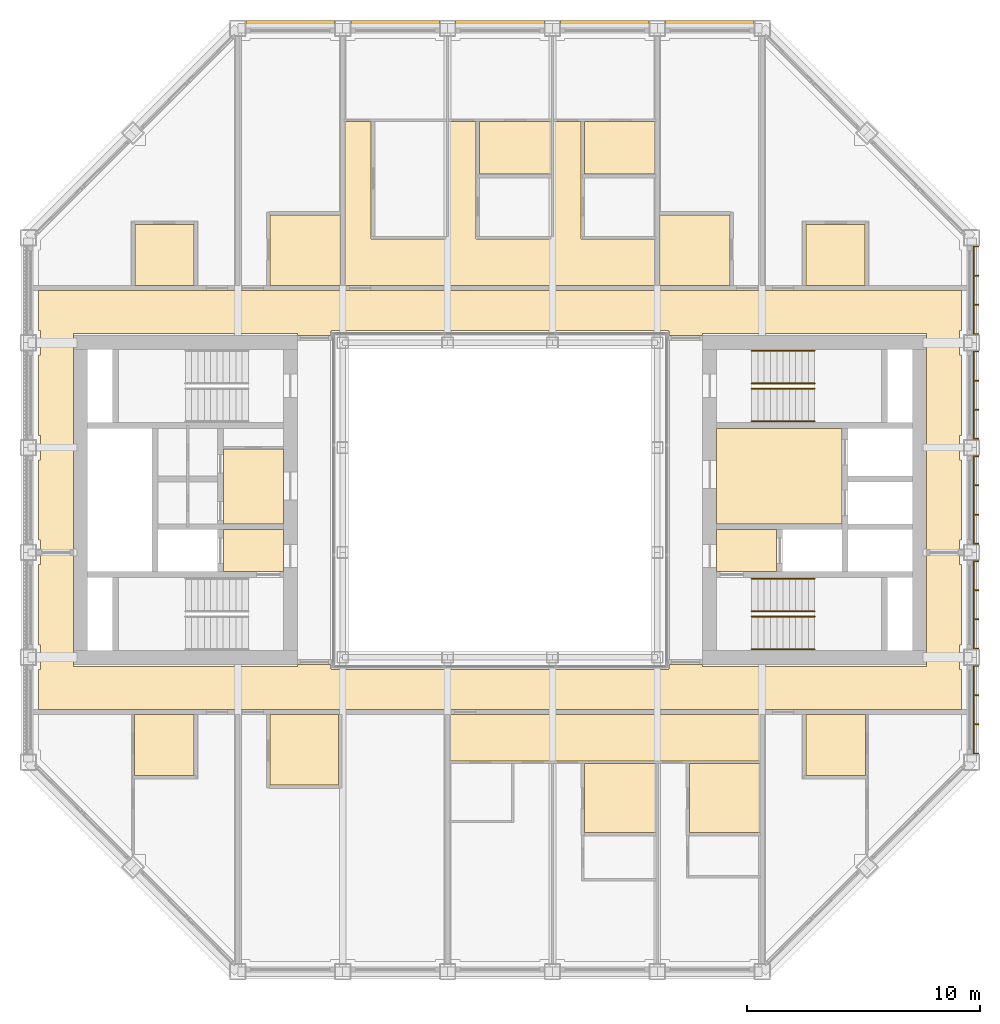
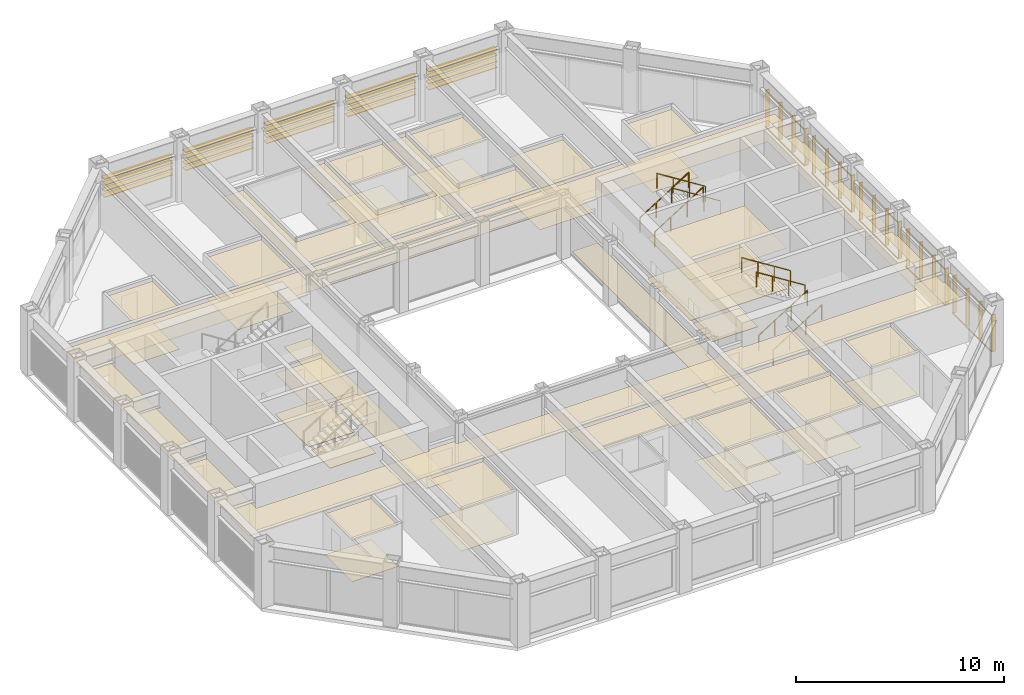
# One storey, part 17 of 17: 8 railings, 4 coverings, 2 shading devices.
"""IFC4 building model written with IfcOpenShell, lengths in metres."""

from ifc_helpers import new_model, si_unit, direction, frame, origin, origin_2d, place, context, subcontext, project, spatial, line, indexed_curve, rectangle, circle, outline, extrude, material, layer, layer_set, type_object, element, save


model = new_model("IFC4")

# Units and contexts
model_context = context("Model", 3, precision=1e-05, world=origin(), true_north=direction((0.0, 1.0)))
body_context = subcontext(model_context, "Body", "Model", "MODEL_VIEW")
ifc_project = project(units=[si_unit("LENGTHUNIT", "METRE"), si_unit("AREAUNIT", "SQUARE_METRE"), si_unit("VOLUMEUNIT", "CUBIC_METRE"), si_unit("PLANEANGLEUNIT", "RADIAN"), si_unit("MASSUNIT", "GRAM", prefix="KILO")], contexts=[model_context])

# Site, building, storey
site_placement = place(None, origin())
site = spatial("IfcSite", under=ifc_project, at=site_placement, CompositionType="ELEMENT")
building_placement = place(site_placement, origin())
building = spatial("IfcBuilding", under=site, at=building_placement, Name="Msasa Ring Tower", CompositionType="ELEMENT")
storey_placement = place(building_placement, frame((0.0, 0.0, 238.300048828125)))
storey = spatial("IfcBuildingStorey", under=building, at=storey_placement, Name="L62", CompositionType="ELEMENT", Elevation=238.300048828125)

# Shading device
ifc_material_1 = material(Name="Extruded terracotta on aluminium carriers", Category="masonry")
shading_device_type_1 = type_object("IfcShadingDeviceType", Name="BS2 TERRACOTTA FIN SCREEN 40x200 AT 1350", PredefinedType="USERDEFINED", material=ifc_material_1)
shading_device_1_placement = place(storey_placement, origin())
element("IfcShadingDevice", 1, at=shading_device_1_placement, inside=storey, type_object=shading_device_type_1, Name="Terracotta fin screen E L62", ObjectType="BAGUETTE", PredefinedType="USERDEFINED", context=body_context, shape_type="SweptSolid", body=[
    extrude(rectangle(XDim=0.06005859375, YDim=0.0400390625, at=origin_2d()), frame((20.330078125, -10.89990234375, 0.329833984375), z_axis=(0.0, 1.0, 0.0), x_axis=(0.0, 0.0, 1.0)), (0.0, 0.0, 1.0), 3.800048828125),
    extrude(rectangle(XDim=0.06005859375, YDim=0.0400390625, at=origin_2d()), frame((20.330078125, -10.89990234375, 2.448974609375), z_axis=(0.0, 1.0, 0.0), x_axis=(0.0, 0.0, 1.0)), (0.0, 0.0, 1.0), 3.800048828125),
    extrude(rectangle(XDim=0.0400390625, YDim=0.199951171875, at=origin_2d()), frame((20.445068359375, -10.8798828125, 0.300048828125), z_axis=(0.0, 0.0, 1.0), x_axis=(0.0, 1.0, 0.0)), (0.0, 0.0, 1.0), 2.178955078125),
    extrude(rectangle(XDim=0.0400390625, YDim=0.199951171875, at=origin_2d()), frame((20.445068359375, -9.626708984375, 0.300048828125), z_axis=(0.0, 0.0, 1.0), x_axis=(0.0, 1.0, 0.0)), (0.0, 0.0, 1.0), 2.178955078125),
    extrude(rectangle(XDim=0.0400390625, YDim=0.199951171875, at=origin_2d()), frame((20.445068359375, -8.373291015625, 0.300048828125), z_axis=(0.0, 0.0, 1.0), x_axis=(0.0, 1.0, 0.0)), (0.0, 0.0, 1.0), 2.178955078125),
    extrude(rectangle(XDim=0.0400390625, YDim=0.199951171875, at=origin_2d()), frame((20.445068359375, -7.1201171875, 0.300048828125), z_axis=(0.0, 0.0, 1.0), x_axis=(0.0, 1.0, 0.0)), (0.0, 0.0, 1.0), 2.178955078125),
    extrude(rectangle(XDim=0.06005859375, YDim=0.0400390625, at=origin_2d()), frame((20.330078125, -6.39990234375, 0.329833984375), z_axis=(0.0, 1.0, 0.0), x_axis=(0.0, 0.0, 1.0)), (0.0, 0.0, 1.0), 3.800048828125),
    extrude(rectangle(XDim=0.06005859375, YDim=0.0400390625, at=origin_2d()), frame((20.330078125, -6.39990234375, 2.448974609375), z_axis=(0.0, 1.0, 0.0), x_axis=(0.0, 0.0, 1.0)), (0.0, 0.0, 1.0), 3.800048828125),
    extrude(rectangle(XDim=0.0400390625, YDim=0.199951171875, at=origin_2d()), frame((20.445068359375, -6.3798828125, 0.300048828125), z_axis=(0.0, 0.0, 1.0), x_axis=(0.0, 1.0, 0.0)), (0.0, 0.0, 1.0), 2.178955078125),
    extrude(rectangle(XDim=0.0400390625, YDim=0.199951171875, at=origin_2d()), frame((20.445068359375, -5.126708984375, 0.300048828125), z_axis=(0.0, 0.0, 1.0), x_axis=(0.0, 1.0, 0.0)), (0.0, 0.0, 1.0), 2.178955078125),
    extrude(rectangle(XDim=0.0400390625, YDim=0.199951171875, at=origin_2d()), frame((20.445068359375, -3.873291015625, 0.300048828125), z_axis=(0.0, 0.0, 1.0), x_axis=(0.0, 1.0, 0.0)), (0.0, 0.0, 1.0), 2.178955078125),
    extrude(rectangle(XDim=0.0400390625, YDim=0.199951171875, at=origin_2d()), frame((20.445068359375, -2.6201171875, 0.300048828125), z_axis=(0.0, 0.0, 1.0), x_axis=(0.0, 1.0, 0.0)), (0.0, 0.0, 1.0), 2.178955078125),
    extrude(rectangle(XDim=0.06005859375, YDim=0.0400390625, at=origin_2d()), frame((20.330078125, -1.89990234375, 0.329833984375), z_axis=(0.0, 1.0, 0.0), x_axis=(0.0, 0.0, 1.0)), (0.0, 0.0, 1.0), 3.800048828125),
    extrude(rectangle(XDim=0.06005859375, YDim=0.0400390625, at=origin_2d()), frame((20.330078125, -1.89990234375, 2.448974609375), z_axis=(0.0, 1.0, 0.0), x_axis=(0.0, 0.0, 1.0)), (0.0, 0.0, 1.0), 3.800048828125),
    extrude(rectangle(XDim=0.0400390625, YDim=0.199951171875, at=origin_2d()), frame((20.445068359375, -1.8798828125, 0.300048828125), z_axis=(0.0, 0.0, 1.0), x_axis=(0.0, 1.0, 0.0)), (0.0, 0.0, 1.0), 2.178955078125),
    extrude(rectangle(XDim=0.0400390625, YDim=0.199951171875, at=origin_2d()), frame((20.445068359375, -0.626708984375, 0.300048828125), z_axis=(0.0, 0.0, 1.0), x_axis=(0.0, 1.0, 0.0)), (0.0, 0.0, 1.0), 2.178955078125),
    extrude(rectangle(XDim=0.0400390625, YDim=0.199951171875, at=origin_2d()), frame((20.445068359375, 0.626708984375, 0.300048828125), z_axis=(0.0, 0.0, 1.0), x_axis=(0.0, 1.0, 0.0)), (0.0, 0.0, 1.0), 2.178955078125),
    extrude(rectangle(XDim=0.0400390625, YDim=0.199951171875, at=origin_2d()), frame((20.445068359375, 1.8798828125, 0.300048828125), z_axis=(0.0, 0.0, 1.0), x_axis=(0.0, 1.0, 0.0)), (0.0, 0.0, 1.0), 2.178955078125),
    extrude(rectangle(XDim=0.06005859375, YDim=0.0400390625, at=origin_2d()), frame((20.330078125, 2.60009765625, 0.329833984375), z_axis=(0.0, 1.0, 0.0), x_axis=(0.0, 0.0, 1.0)), (0.0, 0.0, 1.0), 3.800048828125),
    extrude(rectangle(XDim=0.06005859375, YDim=0.0400390625, at=origin_2d()), frame((20.330078125, 2.60009765625, 2.448974609375), z_axis=(0.0, 1.0, 0.0), x_axis=(0.0, 0.0, 1.0)), (0.0, 0.0, 1.0), 3.800048828125),
    extrude(rectangle(XDim=0.0400390625, YDim=0.199951171875, at=origin_2d()), frame((20.445068359375, 2.6201171875, 0.300048828125), z_axis=(0.0, 0.0, 1.0), x_axis=(0.0, 1.0, 0.0)), (0.0, 0.0, 1.0), 2.178955078125),
    extrude(rectangle(XDim=0.0400390625, YDim=0.199951171875, at=origin_2d()), frame((20.445068359375, 3.873291015625, 0.300048828125), z_axis=(0.0, 0.0, 1.0), x_axis=(0.0, 1.0, 0.0)), (0.0, 0.0, 1.0), 2.178955078125),
    extrude(rectangle(XDim=0.0400390625, YDim=0.199951171875, at=origin_2d()), frame((20.445068359375, 5.126708984375, 0.300048828125), z_axis=(0.0, 0.0, 1.0), x_axis=(0.0, 1.0, 0.0)), (0.0, 0.0, 1.0), 2.178955078125),
    extrude(rectangle(XDim=0.0400390625, YDim=0.199951171875, at=origin_2d()), frame((20.445068359375, 6.3798828125, 0.300048828125), z_axis=(0.0, 0.0, 1.0), x_axis=(0.0, 1.0, 0.0)), (0.0, 0.0, 1.0), 2.178955078125),
    extrude(rectangle(XDim=0.06005859375, YDim=0.0400390625, at=origin_2d()), frame((20.330078125, 7.10009765625, 0.329833984375), z_axis=(0.0, 1.0, 0.0), x_axis=(0.0, 0.0, 1.0)), (0.0, 0.0, 1.0), 3.800048828125),
    extrude(rectangle(XDim=0.06005859375, YDim=0.0400390625, at=origin_2d()), frame((20.330078125, 7.10009765625, 2.448974609375), z_axis=(0.0, 1.0, 0.0), x_axis=(0.0, 0.0, 1.0)), (0.0, 0.0, 1.0), 3.800048828125),
    extrude(rectangle(XDim=0.0400390625, YDim=0.199951171875, at=origin_2d()), frame((20.445068359375, 7.1201171875, 0.300048828125), z_axis=(0.0, 0.0, 1.0), x_axis=(0.0, 1.0, 0.0)), (0.0, 0.0, 1.0), 2.178955078125),
    extrude(rectangle(XDim=0.0400390625, YDim=0.199951171875, at=origin_2d()), frame((20.445068359375, 8.373291015625, 0.300048828125), z_axis=(0.0, 0.0, 1.0), x_axis=(0.0, 1.0, 0.0)), (0.0, 0.0, 1.0), 2.178955078125),
    extrude(rectangle(XDim=0.0400390625, YDim=0.199951171875, at=origin_2d()), frame((20.445068359375, 9.626708984375, 0.300048828125), z_axis=(0.0, 0.0, 1.0), x_axis=(0.0, 1.0, 0.0)), (0.0, 0.0, 1.0), 2.178955078125),
    extrude(rectangle(XDim=0.0400390625, YDim=0.199951171875, at=origin_2d()), frame((20.445068359375, 10.8798828125, 0.300048828125), z_axis=(0.0, 0.0, 1.0), x_axis=(0.0, 1.0, 0.0)), (0.0, 0.0, 1.0), 2.178955078125),
])

# Coverings
ifc_material_2 = material(Name="Gypsum plasterboard on a steel suspension grid", Category="steel")
ifc_layer_1 = layer(ifc_material_2, 0.014892578125)
ifc_layer_set_1 = layer_set([ifc_layer_1], Name="C1 SUSPENDED PLASTERBOARD CEILING 15")
covering_type_1 = type_object("IfcCoveringType", Name="C1 SUSPENDED PLASTERBOARD CEILING 15", PredefinedType="CEILING", material=ifc_layer_set_1)
covering_1_placement = place(storey_placement, frame((0.0, 0.0, 2.39990234375)))
element("IfcCovering", 2, at=covering_1_placement, inside=storey, type_object=covering_type_1, Name="Suspended Plasterboard Ceiling 15 circulation L62", PredefinedType="CEILING", context=body_context, shape_type="SweptSolid", body=[
    extrude(outline(indexed_curve([(8.699462890625, -7.150390625), (18.300537109375, -7.150390625), (18.300537109375, -2.3505859375), (19.724609375, -2.3505859375), (19.724609375, -2.775390625), (19.799560546875, -2.775390625), (19.799560546875, -6.224609375), (19.724609375, -6.224609375), (19.724609375, -7.275390625), (19.799560546875, -7.275390625), (19.799560546875, -8.99951171875), (-19.799560546875, -8.99951171875), (-19.799560546875, -7.275390625), (-19.724609375, -7.275390625), (-19.724609375, -6.224609375), (-19.799560546875, -6.224609375), (-19.799560546875, -2.775390625), (-19.724609375, -2.775390625), (-19.724609375, -2.3505859375), (-18.300537109375, -2.3505859375), (-18.300537109375, -7.150390625), (-8.699462890625, -7.150390625), (-8.699462890625, -7.050537109375), (-7.280029296875, -7.050537109375), (-7.280517578125, -7.23046875), (-7.22998046875, -7.23046875), (-7.22998046875, -7.280029296875), (7.22998046875, -7.280029296875), (7.22998046875, -7.23046875), (7.280517578125, -7.23046875), (7.280029296875, -7.050537109375), (8.699462890625, -7.050537109375)], segments=[line(1, 2, 3, 4, 5, 6, 7, 8, 9, 10, 11, 12, 13, 14, 15, 16, 17, 18, 19, 20, 21, 22, 23, 24, 25, 26, 27, 28, 29, 30, 31, 32, 1)], self_intersect=False)), origin(), (0.0, 0.0, 1.0), 0.01513671875),
    extrude(outline(indexed_curve([(19.799560546875, 7.275390625), (19.724609375, 7.275390625), (19.724609375, 6.224609375), (19.799560546875, 6.224609375), (19.799560546875, 2.775390625), (19.724609375, 2.775390625), (19.724609375, 1.724609375), (19.799560546875, 1.724609375), (19.799560546875, -1.724609375), (19.724609375, -1.724609375), (19.724609375, -2.1494140625), (18.300537109375, -2.1494140625), (18.300537109375, 7.150390625), (8.699462890625, 7.150390625), (8.699462890625, 7.050537109375), (7.280029296875, 7.050537109375), (7.280517578125, 7.23046875), (7.22998046875, 7.23046875), (7.22998046875, 7.280029296875), (-7.22998046875, 7.280029296875), (-7.22998046875, 7.23046875), (-7.280517578125, 7.23046875), (-7.280029296875, 7.050537109375), (-8.699462890625, 7.050537109375), (-8.699462890625, 7.150390625), (-18.300537109375, 7.150390625), (-18.300537109375, -2.1494140625), (-19.724609375, -2.1494140625), (-19.724609375, -1.724609375), (-19.799560546875, -1.724609375), (-19.799560546875, 1.724609375), (-19.724609375, 1.724609375), (-19.724609375, 2.775390625), (-19.799560546875, 2.775390625), (-19.799560546875, 6.224609375), (-19.724609375, 6.224609375), (-19.724609375, 7.275390625), (-19.799560546875, 7.275390625), (-19.799560546875, 8.99951171875), (19.799560546875, 8.99951171875)], segments=[line(1, 2, 3, 4, 5, 6, 7, 8, 9, 10, 11, 12, 13, 14, 15, 16, 17, 18, 19, 20, 21, 22, 23, 24, 25, 26, 27, 28, 29, 30, 31, 32, 33, 34, 35, 36, 37, 38, 39, 40, 1)], self_intersect=False)), origin(), (0.0, 0.0, 1.0), 0.01513671875),
    extrude(outline(indexed_curve([(-11.87451171875, -3.074462890625), (-11.87451171875, -1.275390625), (-9.300537109375, -1.275390625), (-9.300537109375, -3.074462890625)], segments=[line(1, 2, 3, 4, 1)], self_intersect=False)), origin(), (0.0, 0.0, 1.0), 0.01513671875),
    extrude(outline(indexed_curve([(-11.87451171875, -1.0244140625), (-11.87451171875, 2.194580078125), (-9.300537109375, 2.194580078125), (-9.300537109375, -1.0244140625)], segments=[line(1, 2, 3, 4, 1)], self_intersect=False)), origin(), (0.0, 0.0, 1.0), 0.01513671875),
    extrude(outline(indexed_curve([(-5.530517578125, 11.199462890625), (-2.189453125, 11.199462890625), (-2.189453125, 16.244384765625), (-1.030517578125, 16.244384765625), (-1.030517578125, 11.199462890625), (2.310546875, 11.199462890625), (2.310546875, 16.244384765625), (3.469482421875, 16.244384765625), (3.469482421875, 11.199462890625), (6.6494140625, 11.199462890625), (6.6494140625, 9.200439453125), (-6.6494140625, 9.200439453125), (-6.6494140625, 16.244384765625), (-5.530517578125, 16.244384765625)], segments=[line(1, 2, 3, 4, 5, 6, 7, 8, 9, 10, 11, 12, 13, 14, 1)], self_intersect=False)), origin(), (0.0, 0.0, 1.0), 0.01513671875),
    extrude(outline(indexed_curve([(-2.1494140625, -11.199462890625), (-2.1494140625, -9.200439453125), (11.1494140625, -9.200439453125), (11.1494140625, -11.199462890625)], segments=[line(1, 2, 3, 4, 1)], self_intersect=False)), origin(), (0.0, 0.0, 1.0), 0.01513671875),
    extrude(outline(indexed_curve([(9.300537109375, -3.074462890625), (9.300537109375, -1.275390625), (11.87451171875, -1.275390625), (11.87451171875, -3.074462890625)], segments=[line(1, 2, 3, 4, 1)], self_intersect=False)), origin(), (0.0, 0.0, 1.0), 0.01513671875),
    extrude(outline(indexed_curve([(9.300537109375, -1.0244140625), (9.300537109375, 3.074462890625), (14.674560546875, 3.074462890625), (14.674560546875, -1.0244140625)], segments=[line(1, 2, 3, 4, 1)], self_intersect=False)), origin(), (0.0, 0.0, 1.0), 0.01513671875),
])
ifc_material_3 = material(Name="Moisture-resistant gypsum plasterboard on a steel suspension grid", Category="steel")
ifc_layer_2 = layer(ifc_material_3, 0.014892578125)
ifc_layer_set_2 = layer_set([ifc_layer_2], Name="C2 MOISTURE-RESISTANT PLASTERBOARD CEILING 15")
covering_type_2 = type_object("IfcCoveringType", Name="C2 MOISTURE-RESISTANT PLASTERBOARD CEILING 15", PredefinedType="CEILING", material=ifc_layer_set_2)
covering_2_placement = place(storey_placement, frame((0.0, 0.0, 2.39990234375)))
element("IfcCovering", 3, at=covering_2_placement, inside=storey, type_object=covering_type_2, Name="Moisture-Resistant Plasterboard Ceiling 15 L62", PredefinedType="CEILING", context=body_context, shape_type="SweptSolid", body=[
    extrude(outline(indexed_curve([(-15.689453125, -11.819580078125), (-15.689453125, -9.200439453125), (-13.130615234375, -9.200439453125), (-13.130615234375, -11.819580078125)], segments=[line(1, 2, 3, 4, 1)], self_intersect=False)), origin(), (0.0, 0.0, 1.0), 0.01513671875),
    extrude(outline(indexed_curve([(-15.66943359375, 11.819580078125), (-13.130615234375, 11.819580078125), (-13.130615234375, 9.200439453125), (-15.66943359375, 9.200439453125)], segments=[line(1, 2, 3, 4, 1)], self_intersect=False)), origin(), (0.0, 0.0, 1.0), 0.01513671875),
    extrude(outline(indexed_curve([(-6.925537109375, -9.200439453125), (-6.925537109375, -12.224609375), (-9.87451171875, -12.224609375), (-9.87451171875, -9.200439453125)], segments=[line(1, 2, 3, 4, 1)], self_intersect=False)), origin(), (0.0, 0.0, 1.0), 0.01513671875),
    extrude(outline(indexed_curve([(-9.87451171875, 9.200439453125), (-9.87451171875, 12.224609375), (-6.8505859375, 12.224609375), (-6.8505859375, 9.200439453125)], segments=[line(1, 2, 3, 4, 1)], self_intersect=False)), origin(), (0.0, 0.0, 1.0), 0.01513671875),
    extrude(outline(indexed_curve([(-0.869384765625, 13.98046875), (-0.869384765625, 16.244384765625), (2.189453125, 16.244384765625), (2.189453125, 13.98046875)], segments=[line(1, 2, 3, 4, 1)], self_intersect=False)), origin(), (0.0, 0.0, 1.0), 0.01513671875),
    extrude(outline(indexed_curve([(6.689453125, -11.300537109375), (6.689453125, -14.2744140625), (3.62548828125, -14.2744140625), (3.62548828125, -11.300537109375)], segments=[line(1, 2, 3, 4, 1)], self_intersect=False)), origin(), (0.0, 0.0, 1.0), 0.01513671875),
    extrude(outline(indexed_curve([(3.630615234375, 16.244384765625), (6.6494140625, 16.244384765625), (6.6494140625, 13.98046875), (3.630615234375, 13.98046875)], segments=[line(1, 2, 3, 4, 1)], self_intersect=False)), origin(), (0.0, 0.0, 1.0), 0.01513671875),
    extrude(outline(indexed_curve([(6.8505859375, 9.200439453125), (6.8505859375, 12.224609375), (9.87451171875, 12.224609375), (9.87451171875, 9.200439453125)], segments=[line(1, 2, 3, 4, 1)], self_intersect=False)), origin(), (0.0, 0.0, 1.0), 0.01513671875),
    extrude(outline(indexed_curve([(11.1494140625, -11.300537109375), (11.1494140625, -14.2744140625), (8.12548828125, -14.2744140625), (8.12548828125, -11.300537109375)], segments=[line(1, 2, 3, 4, 1)], self_intersect=False)), origin(), (0.0, 0.0, 1.0), 0.01513671875),
    extrude(outline(indexed_curve([(13.130615234375, -9.200439453125), (15.689453125, -9.200439453125), (15.689453125, -11.819580078125), (13.130615234375, -11.819580078125)], segments=[line(1, 2, 3, 4, 1)], self_intersect=False)), origin(), (0.0, 0.0, 1.0), 0.01513671875),
    extrude(outline(indexed_curve([(13.130615234375, 9.200439453125), (13.130615234375, 11.819580078125), (15.66943359375, 11.819580078125), (15.66943359375, 9.200439453125)], segments=[line(1, 2, 3, 4, 1)], self_intersect=False)), origin(), (0.0, 0.0, 1.0), 0.01513671875),
])
ifc_material_4 = material(Name="Honed granite tiles on a mortar bed", Category="masonry")
ifc_layer_3 = layer(ifc_material_4, 0.030029296875)
ifc_layer_set_3 = layer_set([ifc_layer_3], Name="F1 HONED GRANITE ON BEDDING 30")
covering_type_3 = type_object("IfcCoveringType", Name="F1 HONED GRANITE ON BEDDING 30", PredefinedType="FLOORING", material=ifc_layer_set_3)
covering_3_placement = place(storey_placement, origin())
element("IfcCovering", 4, at=covering_3_placement, inside=storey, type_object=covering_type_3, Name="Honed Granite On Bedding 30 L62", PredefinedType="FLOORING", context=body_context, shape_type="SweptSolid", body=[
    extrude(outline(indexed_curve([(-11.87451171875, -3.074462890625), (-11.87451171875, -1.275390625), (-9.300537109375, -1.275390625), (-9.300537109375, -3.074462890625)], segments=[line(1, 2, 3, 4, 1)], self_intersect=False)), origin(), (0.0, 0.0, 1.0), 0.030029296875),
    extrude(outline(indexed_curve([(-11.87451171875, 2.194580078125), (-9.300537109375, 2.194580078125), (-9.300537109375, -1.0244140625), (-11.87451171875, -1.0244140625)], segments=[line(1, 2, 3, 4, 1)], self_intersect=False)), origin(), (0.0, 0.0, 1.0), 0.030029296875),
    extrude(outline(indexed_curve([(-8.699462890625, 6.849609375), (-7.280029296875, 6.849609375), (-7.280029296875, -6.849609375), (-8.699462890625, -6.849609375)], segments=[line(1, 2, 3, 4, 1)], self_intersect=False)), origin(), (0.0, 0.0, 1.0), 0.030029296875),
    extrude(outline(indexed_curve([(7.280029296875, -6.849609375), (7.280029296875, 6.849609375), (8.699462890625, 6.849609375), (8.699462890625, -6.849609375)], segments=[line(1, 2, 3, 4, 1)], self_intersect=False)), origin(), (0.0, 0.0, 1.0), 0.030029296875),
    extrude(outline(indexed_curve([(9.300537109375, -1.275390625), (11.87451171875, -1.275390625), (11.87451171875, -3.074462890625), (9.300537109375, -3.074462890625)], segments=[line(1, 2, 3, 4, 1)], self_intersect=False)), origin(), (0.0, 0.0, 1.0), 0.030029296875),
    extrude(outline(indexed_curve([(9.300537109375, 3.074462890625), (14.674560546875, 3.074462890625), (14.674560546875, -1.0244140625), (9.300537109375, -1.0244140625)], segments=[line(1, 2, 3, 4, 1)], self_intersect=False)), origin(), (0.0, 0.0, 1.0), 0.030029296875),
])
ifc_material_5 = material(Name="Porcelain floor tiles in adhesive", Category="ceramic")
ifc_layer_4 = layer(ifc_material_5, 0.010009765625)
ifc_layer_set_4 = layer_set([ifc_layer_4], Name="F4 PORCELAIN TILE ON ADHESIVE 10")
covering_type_4 = type_object("IfcCoveringType", Name="F4 PORCELAIN TILE ON ADHESIVE 10", PredefinedType="FLOORING", material=ifc_layer_set_4)
covering_4_placement = place(storey_placement, origin())
element("IfcCovering", 5, at=covering_4_placement, inside=storey, type_object=covering_type_4, Name="Porcelain Tile On Adhesive 10 L62", PredefinedType="FLOORING", context=body_context, shape_type="SweptSolid", body=[
    extrude(outline(indexed_curve([(-15.689453125, -9.200439453125), (-13.130615234375, -9.200439453125), (-13.130615234375, -11.819580078125), (-15.689453125, -11.819580078125)], segments=[line(1, 2, 3, 4, 1)], self_intersect=False)), origin(), (0.0, 0.0, 1.0), 0.010009765625),
    extrude(outline(indexed_curve([(-13.130615234375, 11.819580078125), (-13.130615234375, 9.200439453125), (-15.66943359375, 9.200439453125), (-15.66943359375, 11.819580078125)], segments=[line(1, 2, 3, 4, 1)], self_intersect=False)), origin(), (0.0, 0.0, 1.0), 0.010009765625),
    extrude(outline(indexed_curve([(-6.925537109375, -9.200439453125), (-6.925537109375, -12.224609375), (-9.87451171875, -12.224609375), (-9.87451171875, -9.200439453125)], segments=[line(1, 2, 3, 4, 1)], self_intersect=False)), origin(), (0.0, 0.0, 1.0), 0.010009765625),
    extrude(outline(indexed_curve([(-9.87451171875, 9.200439453125), (-9.87451171875, 12.224609375), (-6.8505859375, 12.224609375), (-6.8505859375, 9.200439453125)], segments=[line(1, 2, 3, 4, 1)], self_intersect=False)), origin(), (0.0, 0.0, 1.0), 0.010009765625),
    extrude(outline(indexed_curve([(-0.869384765625, 16.244384765625), (2.189453125, 16.244384765625), (2.189453125, 13.98046875), (-0.869384765625, 13.98046875)], segments=[line(1, 2, 3, 4, 1)], self_intersect=False)), origin(), (0.0, 0.0, 1.0), 0.010009765625),
    extrude(outline(indexed_curve([(6.689453125, -11.300537109375), (6.689453125, -14.2744140625), (3.62548828125, -14.2744140625), (3.62548828125, -11.300537109375)], segments=[line(1, 2, 3, 4, 1)], self_intersect=False)), origin(), (0.0, 0.0, 1.0), 0.010009765625),
    extrude(outline(indexed_curve([(6.6494140625, 16.244384765625), (6.6494140625, 13.98046875), (3.630615234375, 13.98046875), (3.630615234375, 16.244384765625)], segments=[line(1, 2, 3, 4, 1)], self_intersect=False)), origin(), (0.0, 0.0, 1.0), 0.010009765625),
    extrude(outline(indexed_curve([(6.8505859375, 9.200439453125), (6.8505859375, 12.224609375), (9.87451171875, 12.224609375), (9.87451171875, 9.200439453125)], segments=[line(1, 2, 3, 4, 1)], self_intersect=False)), origin(), (0.0, 0.0, 1.0), 0.010009765625),
    extrude(outline(indexed_curve([(11.1494140625, -11.300537109375), (11.1494140625, -14.2744140625), (8.12548828125, -14.2744140625), (8.12548828125, -11.300537109375)], segments=[line(1, 2, 3, 4, 1)], self_intersect=False)), origin(), (0.0, 0.0, 1.0), 0.010009765625),
    extrude(outline(indexed_curve([(15.689453125, -9.200439453125), (15.689453125, -11.819580078125), (13.130615234375, -11.819580078125), (13.130615234375, -9.200439453125)], segments=[line(1, 2, 3, 4, 1)], self_intersect=False)), origin(), (0.0, 0.0, 1.0), 0.010009765625),
    extrude(outline(indexed_curve([(13.130615234375, 11.819580078125), (15.66943359375, 11.819580078125), (15.66943359375, 9.200439453125), (13.130615234375, 9.200439453125)], segments=[line(1, 2, 3, 4, 1)], self_intersect=False)), origin(), (0.0, 0.0, 1.0), 0.010009765625),
])

# Railings
ifc_material_6 = material(Name="Stainless steel", Category="steel")
railing_type = type_object("IfcRailingType", Name="HR1 HANDRAIL 900", PredefinedType="HANDRAIL", material=ifc_material_6)
for number, where, name in (
    (6, (10.800048828125, -6.39990234375, 0.17041015625), "Handrail stair SEA L62 1"),
    (7, (10.800048828125, -5.0, 0.17041015625), "Handrail stair SEA L62 2"),
):
    element("IfcRailing", number, at=place(storey_placement, frame(where)), inside=storey, type_object=railing_type, Name=name, PredefinedType="HANDRAIL", context=body_context, shape_type="SweptSolid", body=[
        extrude(circle(Radius=0.02392578125, at=origin_2d()), frame((0.0, 0.0, 0.8759765625), z_axis=(0.845579735284, 0.0, 0.533849146555), x_axis=(0.0, 1.0, 0.0)), (0.0, 0.0, 1.0), 3.193115234375),
        extrude(circle(Radius=0.02099609375, at=origin_2d()), origin(), (0.0, 0.0, 1.0), 0.851806640625),
        extrude(circle(Radius=0.02099609375, at=origin_2d()), frame((0.89990234375, 0.0, 0.568115234375)), (0.0, 0.0, 1.0), 0.851806640625),
        extrude(circle(Radius=0.02099609375, at=origin_2d()), frame((1.800048828125, 0.0, 1.136474609375)), (0.0, 0.0, 1.0), 0.851806640625),
        extrude(circle(Radius=0.02099609375, at=origin_2d()), frame((2.699951171875, 0.0, 1.70458984375)), (0.0, 0.0, 1.0), 0.851806640625),
    ])
for number, where, name in (
    (8, (13.5, -4.77490234375, 2.04541015625), "Handrail stair SEA L62 3"),
    (9, (13.5, -3.375, 2.04541015625), "Handrail stair SEA L62 4"),
):
    element("IfcRailing", number, at=place(storey_placement, frame(where)), inside=storey, type_object=railing_type, Name=name, PredefinedType="HANDRAIL", context=body_context, shape_type="SweptSolid", body=[
        extrude(circle(Radius=0.02392578125, at=origin_2d()), frame((0.0, 0.0, 0.8759765625), z_axis=(-0.845579735284, 0.0, 0.533849146555), x_axis=(0.0, -1.0, 0.0)), (0.0, 0.0, 1.0), 3.193115234375),
        extrude(circle(Radius=0.02099609375, at=origin_2d()), origin(), (0.0, 0.0, 1.0), 0.851806640625),
        extrude(circle(Radius=0.02099609375, at=origin_2d()), frame((-0.89990234375, 0.0, 0.568115234375)), (0.0, 0.0, 1.0), 0.851806640625),
        extrude(circle(Radius=0.02099609375, at=origin_2d()), frame((-1.800048828125, 0.0, 1.136474609375)), (0.0, 0.0, 1.0), 0.851806640625),
        extrude(circle(Radius=0.02099609375, at=origin_2d()), frame((-2.699951171875, 0.0, 1.70458984375)), (0.0, 0.0, 1.0), 0.851806640625),
    ])
for number, where, name in (
    (10, (10.800048828125, 5.0, 0.17041015625), "Handrail stair SEB L62 1"),
    (11, (10.800048828125, 6.39990234375, 0.17041015625), "Handrail stair SEB L62 2"),
):
    element("IfcRailing", number, at=place(storey_placement, frame(where)), inside=storey, type_object=railing_type, Name=name, PredefinedType="HANDRAIL", context=body_context, shape_type="SweptSolid", body=[
        extrude(circle(Radius=0.02392578125, at=origin_2d()), frame((0.0, 0.0, 0.8759765625), z_axis=(0.845579735284, 0.0, 0.533849146555), x_axis=(0.0, 1.0, 0.0)), (0.0, 0.0, 1.0), 3.193115234375),
        extrude(circle(Radius=0.02099609375, at=origin_2d()), origin(), (0.0, 0.0, 1.0), 0.851806640625),
        extrude(circle(Radius=0.02099609375, at=origin_2d()), frame((0.89990234375, 0.0, 0.568115234375)), (0.0, 0.0, 1.0), 0.851806640625),
        extrude(circle(Radius=0.02099609375, at=origin_2d()), frame((1.800048828125, 0.0, 1.136474609375)), (0.0, 0.0, 1.0), 0.851806640625),
        extrude(circle(Radius=0.02099609375, at=origin_2d()), frame((2.699951171875, 0.0, 1.70458984375)), (0.0, 0.0, 1.0), 0.851806640625),
    ])
for number, where, name in (
    (12, (13.5, 3.375, 2.04541015625), "Handrail stair SEB L62 3"),
    (13, (13.5, 4.77490234375, 2.04541015625), "Handrail stair SEB L62 4"),
):
    element("IfcRailing", number, at=place(storey_placement, frame(where)), inside=storey, type_object=railing_type, Name=name, PredefinedType="HANDRAIL", context=body_context, shape_type="SweptSolid", body=[
        extrude(circle(Radius=0.02392578125, at=origin_2d()), frame((0.0, 0.0, 0.8759765625), z_axis=(-0.845579735284, 0.0, 0.533849146555), x_axis=(0.0, -1.0, 0.0)), (0.0, 0.0, 1.0), 3.193115234375),
        extrude(circle(Radius=0.02099609375, at=origin_2d()), origin(), (0.0, 0.0, 1.0), 0.851806640625),
        extrude(circle(Radius=0.02099609375, at=origin_2d()), frame((-0.89990234375, 0.0, 0.568115234375)), (0.0, 0.0, 1.0), 0.851806640625),
        extrude(circle(Radius=0.02099609375, at=origin_2d()), frame((-1.800048828125, 0.0, 1.136474609375)), (0.0, 0.0, 1.0), 0.851806640625),
        extrude(circle(Radius=0.02099609375, at=origin_2d()), frame((-2.699951171875, 0.0, 1.70458984375)), (0.0, 0.0, 1.0), 0.851806640625),
    ])

# Shading device
ifc_material_7 = material(Name="Extruded terracotta blades", Category="masonry")
shading_device_type_2 = type_object("IfcShadingDeviceType", Name="SS1 TERRACOTTA SUNSHADE 4 BLADES 300x40 AT 350", PredefinedType="USERDEFINED", material=ifc_material_7)
shading_device_2_placement = place(storey_placement, origin())
element("IfcShadingDevice", 14, at=shading_device_2_placement, inside=storey, type_object=shading_device_type_2, Name="Terracotta sunshade N L62", ObjectType="SUNSHADE", PredefinedType="USERDEFINED", context=body_context, shape_type="SweptSolid", body=[
    extrude(rectangle(XDim=0.0400390625, YDim=0.300048828125, at=origin_2d()), frame((-10.89990234375, 20.429931640625, 2.458984375), z_axis=(1.0, 0.0, 0.0), x_axis=(0.0, 0.0, 1.0)), (0.0, 0.0, 1.0), 3.800048828125),
    extrude(rectangle(XDim=0.0400390625, YDim=0.300048828125, at=origin_2d()), frame((-10.89990234375, 20.429931640625, 2.10888671875), z_axis=(1.0, 0.0, 0.0), x_axis=(0.0, 0.0, 1.0)), (0.0, 0.0, 1.0), 3.800048828125),
    extrude(rectangle(XDim=0.0400390625, YDim=0.300048828125, at=origin_2d()), frame((-10.89990234375, 20.429931640625, 1.759033203125), z_axis=(1.0, 0.0, 0.0), x_axis=(0.0, 0.0, 1.0)), (0.0, 0.0, 1.0), 3.800048828125),
    extrude(rectangle(XDim=0.0400390625, YDim=0.300048828125, at=origin_2d()), frame((-10.89990234375, 20.429931640625, 1.408935546875), z_axis=(1.0, 0.0, 0.0), x_axis=(0.0, 0.0, 1.0)), (0.0, 0.0, 1.0), 3.800048828125),
    extrude(rectangle(XDim=0.0400390625, YDim=0.300048828125, at=origin_2d()), frame((-6.39990234375, 20.429931640625, 2.458984375), z_axis=(1.0, 0.0, 0.0), x_axis=(0.0, 0.0, 1.0)), (0.0, 0.0, 1.0), 3.800048828125),
    extrude(rectangle(XDim=0.0400390625, YDim=0.300048828125, at=origin_2d()), frame((-6.39990234375, 20.429931640625, 2.10888671875), z_axis=(1.0, 0.0, 0.0), x_axis=(0.0, 0.0, 1.0)), (0.0, 0.0, 1.0), 3.800048828125),
    extrude(rectangle(XDim=0.0400390625, YDim=0.300048828125, at=origin_2d()), frame((-6.39990234375, 20.429931640625, 1.759033203125), z_axis=(1.0, 0.0, 0.0), x_axis=(0.0, 0.0, 1.0)), (0.0, 0.0, 1.0), 3.800048828125),
    extrude(rectangle(XDim=0.0400390625, YDim=0.300048828125, at=origin_2d()), frame((-6.39990234375, 20.429931640625, 1.408935546875), z_axis=(1.0, 0.0, 0.0), x_axis=(0.0, 0.0, 1.0)), (0.0, 0.0, 1.0), 3.800048828125),
    extrude(rectangle(XDim=0.0400390625, YDim=0.300048828125, at=origin_2d()), frame((-1.89990234375, 20.429931640625, 2.458984375), z_axis=(1.0, 0.0, 0.0), x_axis=(0.0, 0.0, 1.0)), (0.0, 0.0, 1.0), 3.800048828125),
    extrude(rectangle(XDim=0.0400390625, YDim=0.300048828125, at=origin_2d()), frame((-1.89990234375, 20.429931640625, 2.10888671875), z_axis=(1.0, 0.0, 0.0), x_axis=(0.0, 0.0, 1.0)), (0.0, 0.0, 1.0), 3.800048828125),
    extrude(rectangle(XDim=0.0400390625, YDim=0.300048828125, at=origin_2d()), frame((-1.89990234375, 20.429931640625, 1.759033203125), z_axis=(1.0, 0.0, 0.0), x_axis=(0.0, 0.0, 1.0)), (0.0, 0.0, 1.0), 3.800048828125),
    extrude(rectangle(XDim=0.0400390625, YDim=0.300048828125, at=origin_2d()), frame((-1.89990234375, 20.429931640625, 1.408935546875), z_axis=(1.0, 0.0, 0.0), x_axis=(0.0, 0.0, 1.0)), (0.0, 0.0, 1.0), 3.800048828125),
    extrude(rectangle(XDim=0.0400390625, YDim=0.300048828125, at=origin_2d()), frame((2.60009765625, 20.429931640625, 2.458984375), z_axis=(1.0, 0.0, 0.0), x_axis=(0.0, 0.0, 1.0)), (0.0, 0.0, 1.0), 3.800048828125),
    extrude(rectangle(XDim=0.0400390625, YDim=0.300048828125, at=origin_2d()), frame((2.60009765625, 20.429931640625, 2.10888671875), z_axis=(1.0, 0.0, 0.0), x_axis=(0.0, 0.0, 1.0)), (0.0, 0.0, 1.0), 3.800048828125),
    extrude(rectangle(XDim=0.0400390625, YDim=0.300048828125, at=origin_2d()), frame((2.60009765625, 20.429931640625, 1.759033203125), z_axis=(1.0, 0.0, 0.0), x_axis=(0.0, 0.0, 1.0)), (0.0, 0.0, 1.0), 3.800048828125),
    extrude(rectangle(XDim=0.0400390625, YDim=0.300048828125, at=origin_2d()), frame((2.60009765625, 20.429931640625, 1.408935546875), z_axis=(1.0, 0.0, 0.0), x_axis=(0.0, 0.0, 1.0)), (0.0, 0.0, 1.0), 3.800048828125),
    extrude(rectangle(XDim=0.0400390625, YDim=0.300048828125, at=origin_2d()), frame((7.10009765625, 20.429931640625, 2.458984375), z_axis=(1.0, 0.0, 0.0), x_axis=(0.0, 0.0, 1.0)), (0.0, 0.0, 1.0), 3.800048828125),
    extrude(rectangle(XDim=0.0400390625, YDim=0.300048828125, at=origin_2d()), frame((7.10009765625, 20.429931640625, 2.10888671875), z_axis=(1.0, 0.0, 0.0), x_axis=(0.0, 0.0, 1.0)), (0.0, 0.0, 1.0), 3.800048828125),
    extrude(rectangle(XDim=0.0400390625, YDim=0.300048828125, at=origin_2d()), frame((7.10009765625, 20.429931640625, 1.759033203125), z_axis=(1.0, 0.0, 0.0), x_axis=(0.0, 0.0, 1.0)), (0.0, 0.0, 1.0), 3.800048828125),
    extrude(rectangle(XDim=0.0400390625, YDim=0.300048828125, at=origin_2d()), frame((7.10009765625, 20.429931640625, 1.408935546875), z_axis=(1.0, 0.0, 0.0), x_axis=(0.0, 0.0, 1.0)), (0.0, 0.0, 1.0), 3.800048828125),
])

save(model, "model.ifc")
